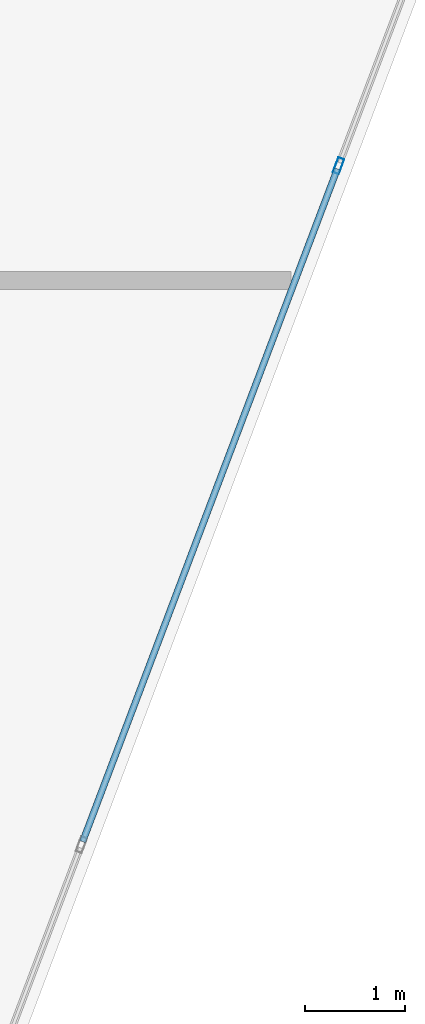
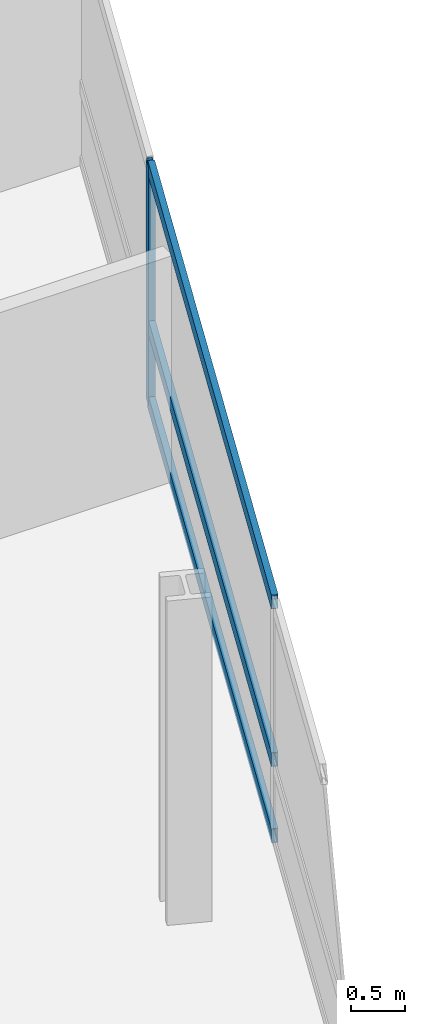
# One storey, part 12 of 26: 4 members, 1 element without a shape of its own.
"""IFC4 building model written with IfcOpenShell, lengths in metres."""

from ifc_helpers import new_model, si_unit, direction, frame, origin, origin_2d, place, context, subcontext, project, spatial, hollow_rectangle, extrude, material, layer, layer_set, material_profile, profile_set, type_object, element, aggregate, save


model = new_model("IFC4")

# Units and contexts
model_context = context("Model", 3, precision=1e-05, world=origin(), true_north=direction((0.0, 1.0)))
body_context = subcontext(model_context, "Body", "Model", "MODEL_VIEW")
ifc_project = project(units=[si_unit("LENGTHUNIT", "METRE"), si_unit("AREAUNIT", "SQUARE_METRE"), si_unit("VOLUMEUNIT", "CUBIC_METRE"), si_unit("PLANEANGLEUNIT", "RADIAN"), si_unit("MASSUNIT", "GRAM", prefix="KILO")], contexts=[model_context])

# Site, building, storey
site_placement = place(None, origin())
site = spatial("IfcSite", under=ifc_project, at=site_placement, CompositionType="ELEMENT")
building_placement = place(site_placement, origin())
building = spatial("IfcBuilding", under=site, at=building_placement, Name="Varnelok Gate Tower", CompositionType="ELEMENT")
storey_placement = place(building_placement, frame((0.0, 0.0, 109.5)))
storey = spatial("IfcBuildingStorey", under=building, at=storey_placement, Name="L27", CompositionType="ELEMENT", Elevation=109.5)

# Curtain wall, members
ifc_material = material(Name="Anodized Aluminum Alloy 6063-T6", Category="aluminium")
ifc_layer = layer(ifc_material, 0.179931640625)
ifc_layer_set = layer_set([ifc_layer], Name="Anodized Aluminum Alloy 6063-T6")
curtain_wall_type = type_object("IfcCurtainWallType", Name="CW3-HOTEL-VISION", PredefinedType="USERDEFINED", material=ifc_layer_set)
curtain_wall_placement = place(storey_placement, origin())
curtain_wall = element("IfcCurtainWall", 1, at=curtain_wall_placement, inside=storey, type_object=curtain_wall_type, Name="L27 East End Vision Curtain Wall", ObjectType="UNITISED CURTAIN WALL", PredefinedType="USERDEFINED")
ifc_material_profile_1 = material_profile(ifc_material, hollow_rectangle(XDim=0.06494140625, YDim=0.159912109375, WallThickness=0.00390625, at=origin_2d()), Name="ALU160X65X4")
ifc_profile_set_1 = profile_set([ifc_material_profile_1], Name="Anodized Aluminum Alloy 6063-T6")
member_type_1 = type_object("IfcMemberType", Name="CW-MULL-160", PredefinedType="MULLION", material=ifc_profile_set_1)
member_1_placement = place(storey_placement, frame((75.328125, 15.4931640625, 0.0), z_axis=(0.0, 0.0, 1.0), x_axis=(0.935221323688, -0.354063660545, 0.0)))
member_1 = element("IfcMember", 2, at=member_1_placement, type_object=member_type_1, Name="CW3 mullion 3", PredefinedType="MULLION", context=body_context, shape_type="SweptSolid", body=[
    extrude(hollow_rectangle(XDim=0.06494140625, YDim=0.159912109375, WallThickness=0.00390625, at=origin_2d()), origin(), (0.0, 0.0, 1.0), 2.72998046875),
])
ifc_material_profile_2 = material_profile(ifc_material, hollow_rectangle(XDim=0.06494140625, YDim=0.159912109375, WallThickness=0.00390625, at=origin_2d()), Name="ALU160X65X4")
ifc_profile_set_2 = profile_set([ifc_material_profile_2], Name="Anodized Aluminum Alloy 6063-T6")
member_type_2 = type_object("IfcMemberType", Name="CW-TRAN-160", PredefinedType="USERDEFINED", material=ifc_profile_set_2)
member_2_placement = place(storey_placement, frame((75.316650390625, 15.462646484375, 0.032470703125), z_axis=(-0.354078724634, -0.935215620465, 0.0), x_axis=(0.935215620465, -0.354078724634, 0.0)))
member_2 = element("IfcMember", 3, at=member_2_placement, type_object=member_type_2, Name="CW3 transom 3.1", ObjectType="TRANSOM", PredefinedType="USERDEFINED", context=body_context, shape_type="SweptSolid", body=[
    extrude(hollow_rectangle(XDim=0.06494140625, YDim=0.159912109375, WallThickness=0.00390625, at=origin_2d()), origin(), (0.0, 0.0, 1.0), 7.175048828125),
])
member_3_placement = place(storey_placement, frame((75.316650390625, 15.462646484375, 0.89990234375), z_axis=(-0.354078724634, -0.935215620465, 0.0), x_axis=(0.935215620465, -0.354078724634, 0.0)))
member_3 = element("IfcMember", 4, at=member_3_placement, type_object=member_type_2, Name="CW3 transom 3.2", ObjectType="TRANSOM", PredefinedType="USERDEFINED", context=body_context, shape_type="SweptSolid", body=[
    extrude(hollow_rectangle(XDim=0.06494140625, YDim=0.159912109375, WallThickness=0.00390625, at=origin_2d()), origin(), (0.0, 0.0, 1.0), 7.175048828125),
])
member_4_placement = place(storey_placement, frame((75.316650390625, 15.462646484375, 2.697509765625), z_axis=(-0.354078724634, -0.935215620465, 0.0), x_axis=(0.935215620465, -0.354078724634, 0.0)))
member_4 = element("IfcMember", 5, at=member_4_placement, type_object=member_type_2, Name="CW3 transom 3.3", ObjectType="TRANSOM", PredefinedType="USERDEFINED", context=body_context, shape_type="SweptSolid", body=[
    extrude(hollow_rectangle(XDim=0.06494140625, YDim=0.159912109375, WallThickness=0.00390625, at=origin_2d()), origin(), (0.0, 0.0, 1.0), 7.175048828125),
])
aggregate(curtain_wall, [member_1, member_2, member_3, member_4])

save(model, "model.ifc")
